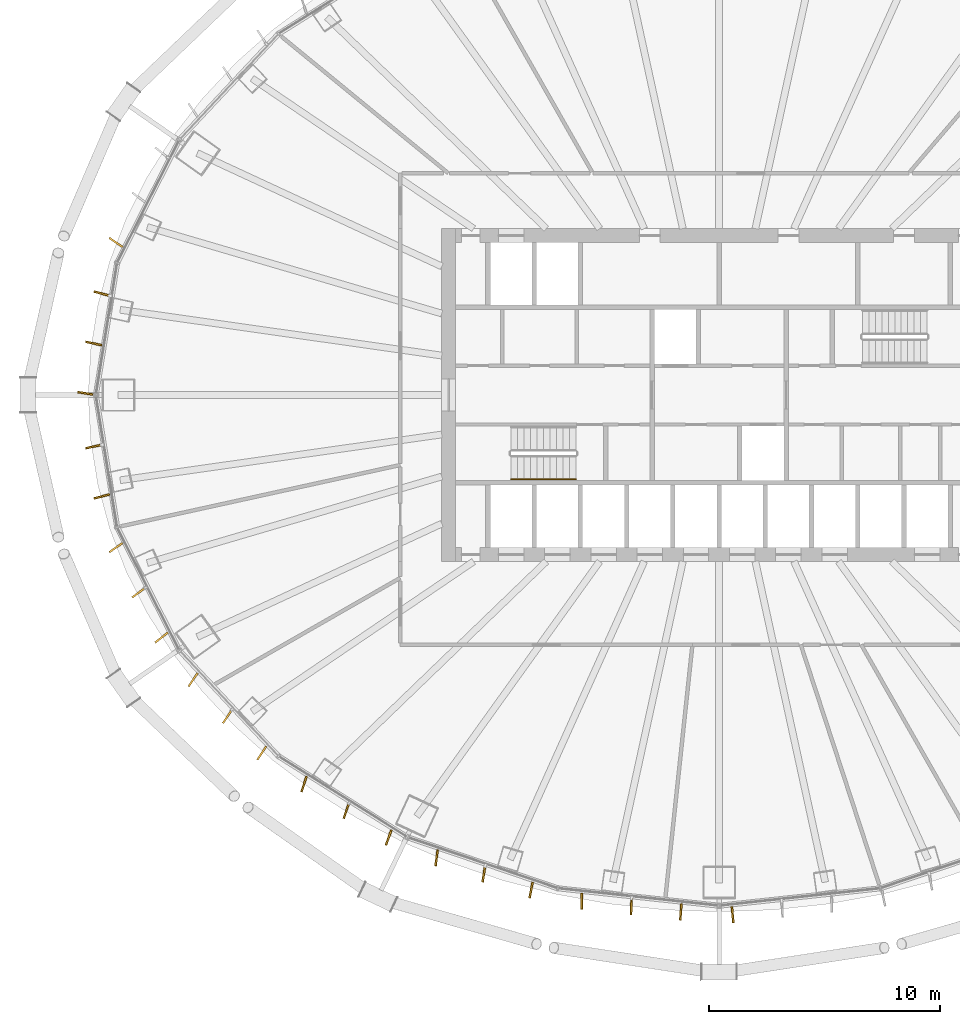
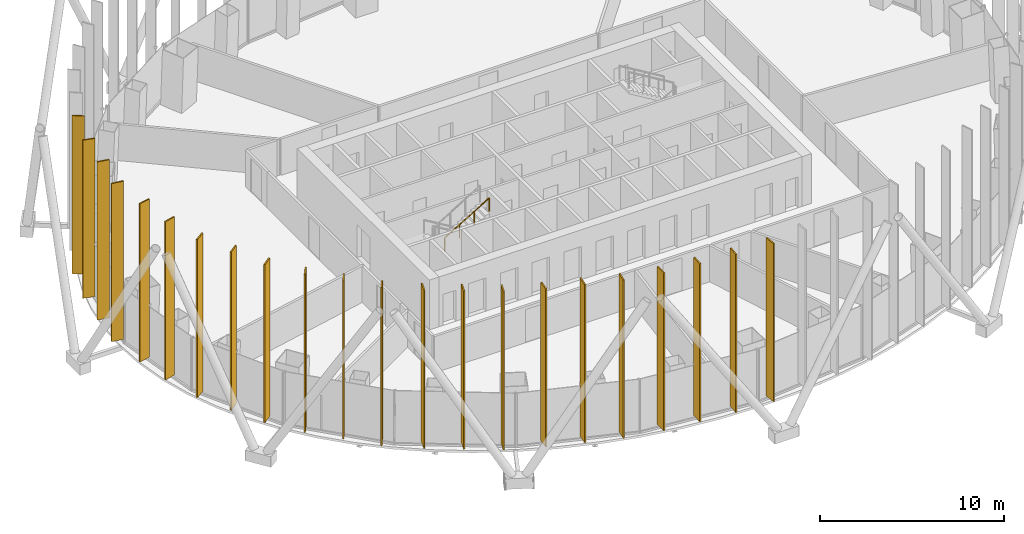
# One storey, part 18 of 21: 22 shading devices, 1 railing.
"""IFC4 building model written with IfcOpenShell, lengths in metres."""

from ifc_helpers import new_model, si_unit, direction, frame, origin, origin_2d, place, context, subcontext, project, spatial, rectangle, circle, extrude, material, layer, layer_set, type_object, element, save


model = new_model("IFC4")

# Units and contexts
model_context = context("Model", 3, precision=1e-05, world=origin(), true_north=direction((0.0, 1.0)))
body_context = subcontext(model_context, "Body", "Model", "MODEL_VIEW")
ifc_project = project(units=[si_unit("LENGTHUNIT", "METRE"), si_unit("AREAUNIT", "SQUARE_METRE"), si_unit("VOLUMEUNIT", "CUBIC_METRE"), si_unit("PLANEANGLEUNIT", "RADIAN"), si_unit("MASSUNIT", "GRAM", prefix="KILO")], contexts=[model_context])

# Site, building, storey
site_placement = place(None, origin())
site = spatial("IfcSite", under=ifc_project, at=site_placement, CompositionType="ELEMENT")
building_placement = place(site_placement, origin())
building = spatial("IfcBuilding", under=site, at=building_placement, Name="Siaravel Broadcast Tower", CompositionType="ELEMENT")
storey_placement = place(building_placement, frame((0.0, 0.0, 70.39990234375)))
storey = spatial("IfcBuildingStorey", under=building, at=storey_placement, Name="L16", CompositionType="ELEMENT", Elevation=70.39990234375)

# Shading devices
ifc_material_1 = material(Name="Bronze anodised aluminium", Category="aluminium")
ifc_layer = layer(ifc_material_1, 0.080078125)
ifc_layer_set = layer_set([ifc_layer], Name="Bronze anodised aluminium")
shading_device_type = type_object("IfcShadingDeviceType", Name="Bronze fin zone 1", PredefinedType="USERDEFINED", material=ifc_layer_set)
for number, where, z_axis, x_axis, name in (
    (1, (-26.09716796875, 6.60205078125, 0.300048828125), (0.0, 0.0, 1.0), (-0.823430607, 0.567416986, 0.0), "Bronze fin L16-33"),
    (2, (-26.710693359375, 4.387939453125, 0.300048828125), (0.0, 0.0, 1.0), (-0.968180407, 0.250253272, 0.0), "Bronze fin L16-34"),
    (3, (-27.05859375, 2.22998046875, 0.300048828125), (0.0, 0.0, 1.0), (-0.978668843, 0.205444143, 0.0), "Bronze fin L16-35"),
    (4, (-27.406005859375, 0.071044921875, 0.300048828125), (0.0, 0.0, 1.0), (-0.987329198, 0.158685394, 0.0), "Bronze fin L16-36"),
    (5, (-27.05859375, -2.22998046875, 0.300048828125), (0.0, 0.0, 1.0), (-0.978668843, -0.205444143, 0.0), "Bronze fin L16-37"),
    (6, (-26.710693359375, -4.387939453125, 0.300048828125), (0.0, 0.0, 1.0), (-0.968180407, -0.250253272, 0.0), "Bronze fin L16-38"),
    (7, (-26.09716796875, -6.60205078125, 0.300048828125), (0.0, 0.0, 1.0), (-0.823430607, -0.567416986, 0.0), "Bronze fin L16-39"),
    (8, (-25.110595703125, -8.548828125, 0.300048828125), (0.0, 0.0, 1.0), (-0.80239062, -0.596799206, 0.0), "Bronze fin L16-40"),
    (9, (-24.125, -10.493408203125, 0.300048828125), (0.0, 0.0, 1.0), (-0.784161569, -0.620556713, 0.0), "Bronze fin L16-41"),
    (10, (-22.760498046875, -12.322021484375, 0.300048828125), (0.0, 0.0, 1.0), (-0.560355695, -0.828252072, 0.0), "Bronze fin L16-42"),
    (11, (-21.27294921875, -13.908203125, 0.300048828125), (0.0, 0.0, 1.0), (-0.548456694, -0.836178961, 0.0), "Bronze fin L16-43"),
    (12, (-19.78759765625, -15.4931640625, 0.300048828125), (0.0, 0.0, 1.0), (-0.543049884, -0.839700437, 0.0), "Bronze fin L16-44"),
    (13, (-17.961181640625, -16.836181640625, 0.300048828125), (0.0, 0.0, 1.0), (-0.313150546, -0.949703499, 0.0), "Bronze fin L16-45"),
    (14, (-16.126953125, -17.989990234375, 0.300048828125), (0.0, 0.0, 1.0), (-0.32130394, -0.946976123, 0.0), "Bronze fin L16-46"),
    (15, (-14.294921875, -19.14306640625, 0.300048828125), (0.0, 0.0, 1.0), (-0.33597273, -0.941871714, 0.0), "Bronze fin L16-47"),
    (16, (-12.2236328125, -20.028564453125, 0.300048828125), (0.0, 0.0, 1.0), (-0.129422118, -0.99158959, 0.0), "Bronze fin L16-48"),
    (17, (-10.177978515625, -20.724365234375, 0.300048828125), (0.0, 0.0, 1.0), (-0.155682825, -0.987807096, 0.0), "Bronze fin L16-49"),
    (18, (-8.134033203125, -21.419677734375, 0.300048828125), (0.0, 0.0, 1.0), (-0.186419438, -0.98247025, 0.0), "Bronze fin L16-50"),
    (19, (-5.944091796875, -21.90283203125, 0.300048828125), (0.0, 0.0, 1.0), (-0.002138027, -0.999997714, 0.0), "Bronze fin L16-51"),
    (20, (-3.799560546875, -22.13525390625, 0.300048828125), (0.0, 0.0, 1.0), (-0.039120297, -0.999234508, 0.0), "Bronze fin L16-52"),
    (21, (-1.65576171875, -22.3671875, 0.300048828125), (0.0, 0.0, 1.0), (-0.07790578, -0.996960726, 0.0), "Bronze fin L16-53"),
    (22, (0.583984375, -22.48291015625, 0.300048828125), (0.0, 0.0, 1.0), (0.097476942, -0.995237784, 0.0), "Bronze fin L16-54"),
):
    element("IfcShadingDevice", number, at=place(storey_placement, frame(where, z_axis=z_axis, x_axis=x_axis)), inside=storey, type_object=shading_device_type, Name=name, ObjectType="FIN", PredefinedType="USERDEFINED", context=body_context, shape_type="SweptSolid", body=[
        extrude(rectangle(XDim=0.699951171875, YDim=0.080078125, at=origin_2d()), origin(), (0.0, 0.0, 1.0), 10.5),
    ])

# Railing
ifc_material_2 = material(Name="Stainless steel 316L", Category="steel")
railing_type = type_object("IfcRailingType", Name="Stair handrail 900", PredefinedType="HANDRAIL", material=ifc_material_2)
railing_placement = place(storey_placement, frame((-9.0, -3.64990234375, 2.018310546875)))
element("IfcRailing", 23, at=railing_placement, inside=storey, type_object=railing_type, Name="L16 ST-1 stair handrail 2", PredefinedType="HANDRAIL", context=body_context, shape_type="SweptSolid", body=[
    extrude(circle(Radius=0.02392578125, at=origin_2d()), frame((0.0, 0.0, 0.8759765625), z_axis=(0.857242211, 0.0, 0.514913383), x_axis=(0.0, 1.0, 0.0)), (0.0, 0.0, 1.0), 3.266357421875),
    extrude(circle(Radius=0.02099609375, at=origin_2d()), origin(), (0.0, 0.0, 1.0), 0.851806640625),
    extrude(circle(Radius=0.02099609375, at=origin_2d()), frame((0.933349609375, 0.0, 0.560546875)), (0.0, 0.0, 1.0), 0.851806640625),
    extrude(circle(Radius=0.02099609375, at=origin_2d()), frame((1.86669921875, 0.0, 1.121337890625)), (0.0, 0.0, 1.0), 0.851806640625),
    extrude(circle(Radius=0.02099609375, at=origin_2d()), frame((2.800048828125, 0.0, 1.681884765625)), (0.0, 0.0, 1.0), 0.851806640625),
])

save(model, "model.ifc")
